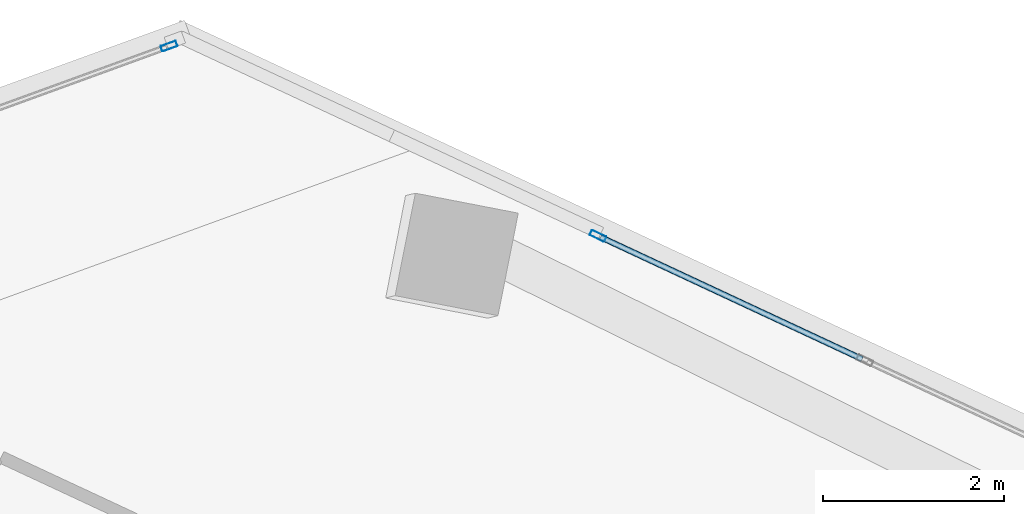
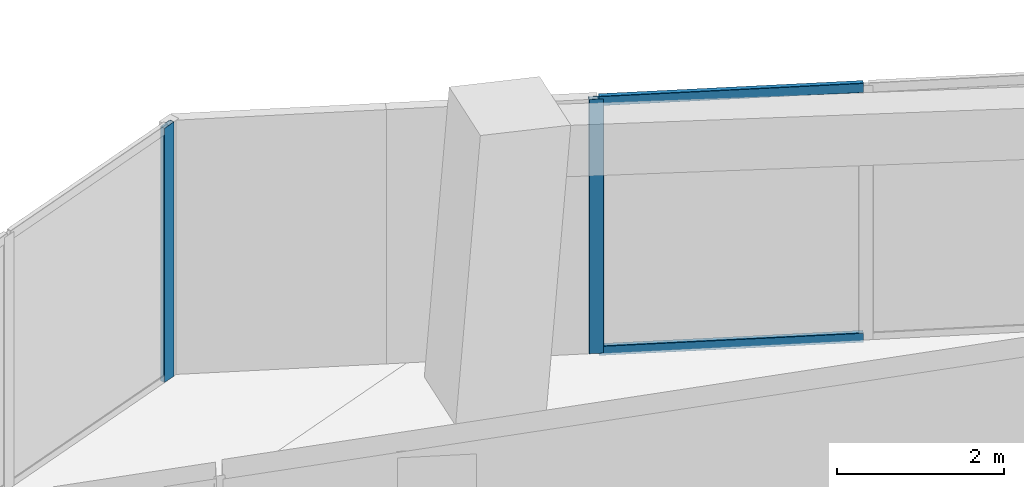
# One storey, part 14 of 23: 4 members, 2 elements without a shape of their own.
"""IFC4 building model written with IfcOpenShell, lengths in metres."""

from ifc_helpers import new_model, si_unit, direction, frame, origin, origin_2d, place, context, subcontext, project, spatial, hollow_rectangle, extrude, source, transform, mapped, material, material_profile, profile_set, type_object, element, aggregate, save


model = new_model("IFC4")

# Units and contexts
model_context = context("Model", 3, precision=1e-05, world=origin(), true_north=direction((0.0, 1.0)))
body_context = subcontext(model_context, "Body", "Model", "MODEL_VIEW")
ifc_project = project(units=[si_unit("LENGTHUNIT", "METRE"), si_unit("AREAUNIT", "SQUARE_METRE"), si_unit("VOLUMEUNIT", "CUBIC_METRE"), si_unit("PLANEANGLEUNIT", "RADIAN"), si_unit("MASSUNIT", "GRAM", prefix="KILO")], contexts=[model_context])

# Site, building, storey
site_placement = place(None, origin())
site = spatial("IfcSite", under=ifc_project, at=site_placement, CompositionType="ELEMENT")
building_placement = place(site_placement, origin())
building = spatial("IfcBuilding", under=site, at=building_placement, Name="Torre Montelarca", CompositionType="ELEMENT")
storey_placement = place(building_placement, frame((0.0, 0.0, 158.199951171875)))
storey = spatial("IfcBuildingStorey", under=building, at=storey_placement, Name="L35", CompositionType="ELEMENT", Elevation=158.199951171875)

# Curtain wall, member
ifc_material_1 = material(Name="Insulated low-E laminated glass", Category="glass")
curtain_wall_type = type_object("IfcCurtainWallType", Name="CW-SYS-Z2", PredefinedType="USERDEFINED", material=ifc_material_1)
curtain_wall_1_placement = place(storey_placement, origin())
curtain_wall_1 = element("IfcCurtainWall", 1, at=curtain_wall_1_placement, inside=storey, type_object=curtain_wall_type, Name="L35 Curtain Wall Run CW-T3-L35-E08-B4", ObjectType="UNITISED GLAZING", PredefinedType="USERDEFINED")
ifc_material_2 = material(Name="Anodised aluminium AA 6063-T6", Category="aluminium")
ifc_material_profile_1 = material_profile(ifc_material_2, hollow_rectangle(XDim=0.06494140625, YDim=0.179931640625, WallThickness=0.00390625, InnerFilletRadius=0.00390625, OuterFilletRadius=0.008056640625, at=origin_2d()), Name="ALU65X180X4", Category="aluminium")
ifc_profile_set_1 = profile_set([ifc_material_profile_1], Name="Anodised aluminium AA 6063-T6")
member_type_1 = type_object("IfcMemberType", Name="CWM-ALU180", PredefinedType="MULLION", material=ifc_profile_set_1)
shared_shape_1 = source(origin(), body_context, "Body", "SweptSolid", [
    extrude(hollow_rectangle(XDim=0.06494140625, YDim=0.179931640625, WallThickness=0.00390625, InnerFilletRadius=0.00390625, OuterFilletRadius=0.008056640625, at=origin_2d()), origin(), (0.0, 0.0, 1.0), 3.719970703125),
])
member_1_placement = place(storey_placement, frame((18.25048828125, 51.24658203125, 0.0), z_axis=(0.0, 0.0, 1.0), x_axis=(-0.422613251002, -0.906310123566, 0.0)))
member_1 = element("IfcMember", 2, at=member_1_placement, type_object=member_type_1, Name="CW mullion 3", PredefinedType="MULLION", context=body_context, shape_type="MappedRepresentation", body=[
    mapped(shared_shape_1, transform((0.0, 0.0, 0.0), scale=1.0)),
])

curtain_wall_2_placement = place(storey_placement, origin())
curtain_wall_2 = element("IfcCurtainWall", 3, at=curtain_wall_2_placement, inside=storey, type_object=curtain_wall_type, Name="L35 Curtain Wall Run CW-T3-L35-E09-B1", ObjectType="UNITISED GLAZING", PredefinedType="USERDEFINED")
member_2_placement = place(storey_placement, frame((13.522216796875, 53.338623046875, 0.0), z_axis=(0.0, 0.0, 1.0), x_axis=(0.342021244323, -0.939692220055, 0.0)))
member_2 = element("IfcMember", 4, at=member_2_placement, type_object=member_type_1, Name="CW mullion 1", PredefinedType="MULLION", context=body_context, shape_type="MappedRepresentation", body=[
    mapped(shared_shape_1, transform((0.0, 0.0, 0.0), scale=1.0)),
])
aggregate(curtain_wall_2, [member_2])

# Member
ifc_material_profile_2 = material_profile(ifc_material_2, hollow_rectangle(XDim=0.06494140625, YDim=0.139892578125, WallThickness=0.00390625, InnerFilletRadius=0.00390625, OuterFilletRadius=0.008056640625, at=origin_2d()), Name="ALU65X140X4", Category="aluminium")
ifc_profile_set_2 = profile_set([ifc_material_profile_2], Name="Anodised aluminium AA 6063-T6")
member_type_2 = type_object("IfcMemberType", Name="CWT-ALU140", PredefinedType="USERDEFINED", material=ifc_profile_set_2)
shared_shape_2 = source(origin(), body_context, "Body", "SweptSolid", [
    extrude(hollow_rectangle(XDim=0.06494140625, YDim=0.139892578125, WallThickness=0.00390625, InnerFilletRadius=0.00390625, OuterFilletRadius=0.008056640625, at=origin_2d()), origin(), (0.0, 0.0, 1.0), 3.1806640625),
])
member_3_placement = place(storey_placement, frame((21.16259765625, 49.888671875, 0.032470703125), z_axis=(-0.90629880554, 0.422637522089, 0.0), x_axis=(-0.422637522089, -0.90629880554, 0.0)))
member_3 = element("IfcMember", 5, at=member_3_placement, type_object=member_type_2, Name="CW transom 2.1", ObjectType="TRANSOM", PredefinedType="USERDEFINED", context=body_context, shape_type="MappedRepresentation", body=[
    mapped(shared_shape_2, transform((0.0, 0.0, 0.0), scale=1.0)),
])

member_4_placement = place(storey_placement, frame((21.16259765625, 49.888671875, 3.6875), z_axis=(-0.90629880554, 0.422637522089, 0.0), x_axis=(-0.422637522089, -0.90629880554, 0.0)))
member_4 = element("IfcMember", 6, at=member_4_placement, type_object=member_type_2, Name="CW transom 2.2", ObjectType="TRANSOM", PredefinedType="USERDEFINED", context=body_context, shape_type="MappedRepresentation", body=[
    mapped(shared_shape_2, transform((0.0, 0.0, 0.0), scale=1.0)),
])

aggregate(curtain_wall_1, [member_1, member_3, member_4])

save(model, "model.ifc")
